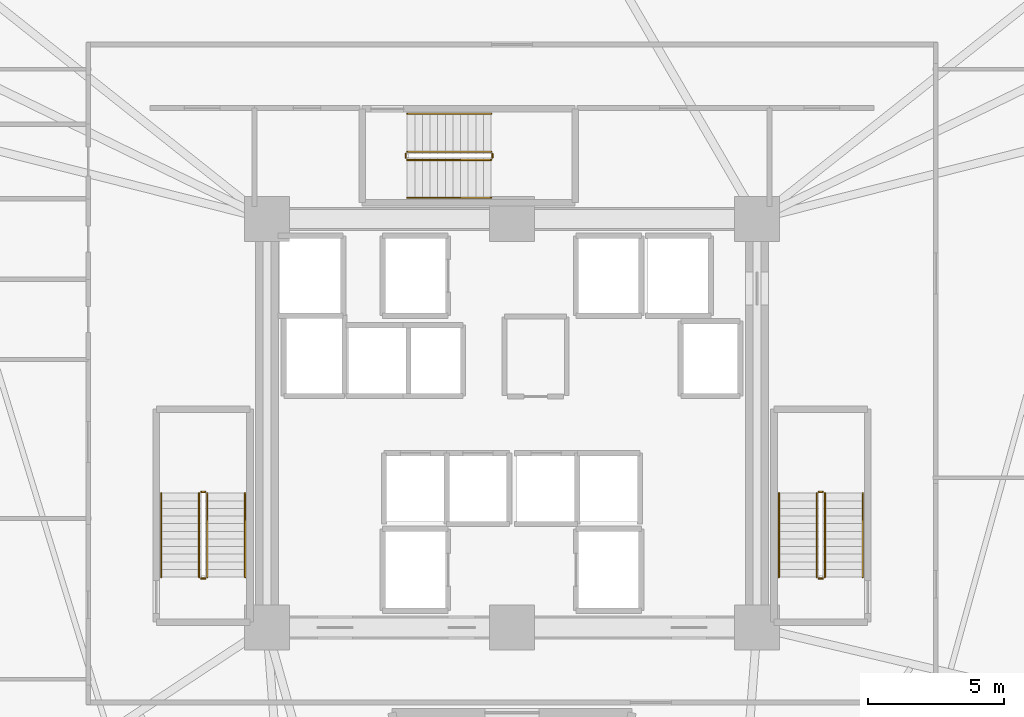
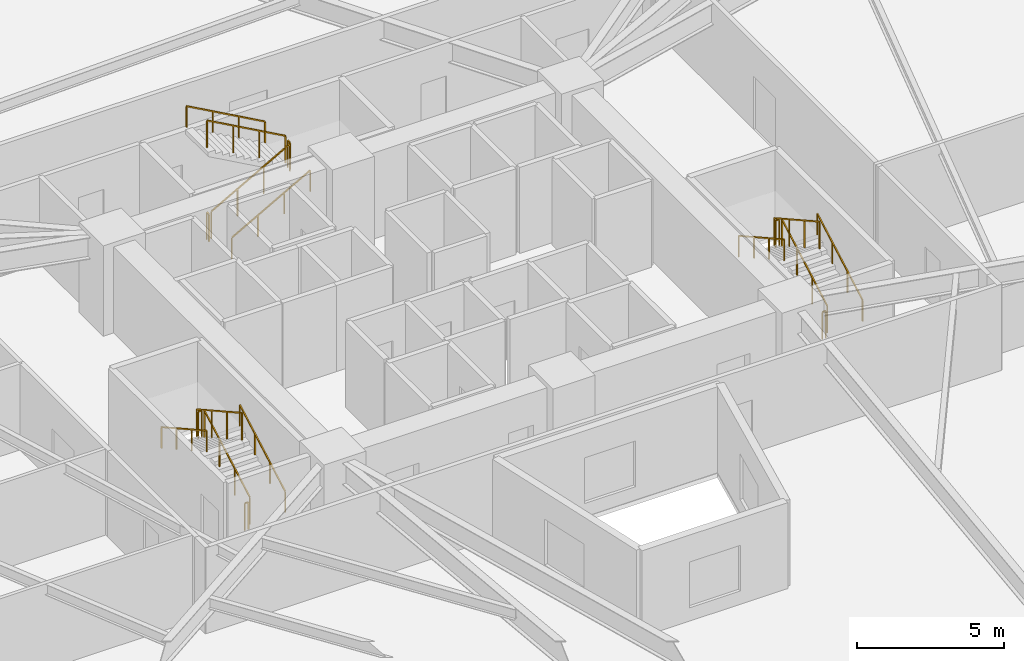
# One storey, part 8 of 8: 18 railings.
"""IFC4 building model written with IfcOpenShell, lengths in metres."""

import ifcopenshell
import ifcopenshell.guid

model = None  # the IFC model being written
_history = None  # IfcOwnerHistory: only IFC2X3 demands one
_inside = {}  # id of a spatial element -> (the spatial element, [elements in it])
_under = {}  # id of a project, library or spatial element -> (it, [spatial elements below it])
_declared = {}  # id of a project -> (the project, [libraries it declares])
_typed = {}  # id of a type object -> (the type object, [elements of that type])
_made_of = {}  # id of a material, layer set ... -> (it, [elements and type objects made of it])


def new_model(schema):
    """Start an empty IFC model of exactly this schema.

    Asked for "IFC4X3", IfcOpenShell would pick the latest addendum, in which some entities
    have other attributes; the version numbers below select the first issue.
    IFC2X3 requires an IfcOwnerHistory on every rooted entity: one is made here for all.
    """
    global model, _history
    if schema == "IFC4X3":
        model = ifcopenshell.file(schema_version=(4, 3, 0, 0))
    else:
        model = ifcopenshell.file(schema=schema)
    _inside.clear()
    _under.clear()
    _declared.clear()
    _typed.clear()
    _made_of.clear()
    _history = None
    if model.schema == "IFC2X3":
        org = make("IfcOrganization", Name="unknown")
        user = make(
            "IfcPersonAndOrganization",
            ThePerson=make("IfcPerson", FamilyName="unknown"),
            TheOrganization=org,
        )
        app = make(
            "IfcApplication",
            ApplicationDeveloper=org,
            Version="unknown",
            ApplicationFullName="unknown",
            ApplicationIdentifier="unknown",
        )
        _history = make(
            "IfcOwnerHistory",
            OwningUser=user,
            OwningApplication=app,
            ChangeAction="ADDED",
            CreationDate=0,
        )
    return model


def make(cls, **values):
    """One entity of the class cls with the attributes given. An attribute that is None is left unset."""
    return model.create_entity(
        cls, **{name: value for name, value in values.items() if value is not None}
    )


def rooted(cls, **values):
    """An entity with a GlobalId (a new one), such as an element, a storey or a relation."""
    return make(cls, GlobalId=ifcopenshell.guid.new(), OwnerHistory=_history, **values)


def si_unit(unit_type, name, prefix=None):
    """IfcSIUnit, for example si_unit("LENGTHUNIT", "METRE", prefix="MILLI")."""
    return make("IfcSIUnit", UnitType=unit_type, Prefix=prefix, Name=name)


def assignment(units):
    """IfcUnitAssignment: the units of a project."""
    return None if units is None else make("IfcUnitAssignment", Units=units)


def point(xyz):
    """IfcCartesianPoint."""
    return None if xyz is None else make("IfcCartesianPoint", Coordinates=xyz)


def direction(xyz):
    """IfcDirection."""
    return None if xyz is None else make("IfcDirection", DirectionRatios=xyz)


def frame(location, z_axis=None, x_axis=None):
    """IfcAxis2Placement3D, a coordinate frame: its origin and axes. An axis left out is left unset."""
    return make(
        "IfcAxis2Placement3D",
        Location=point(location),
        Axis=direction(z_axis),
        RefDirection=direction(x_axis),
    )


def frame_2d(location, x_axis=None):
    """IfcAxis2Placement2D, a coordinate frame in the plane: its origin and x axis."""
    return make(
        "IfcAxis2Placement2D", Location=point(location), RefDirection=direction(x_axis)
    )


def origin():
    """The frame at (0, 0, 0) with its axes left unset."""
    return frame((0.0, 0.0, 0.0))


def origin_2d():
    """The frame at (0, 0) in the plane with its x axis left unset."""
    return frame_2d((0.0, 0.0))


def place(relative_to, where):
    """IfcLocalPlacement: puts the frame where relative to a parent placement (None: the world)."""
    return make(
        "IfcLocalPlacement", PlacementRelTo=relative_to, RelativePlacement=where
    )


def context(
    kind, dimensions, precision=None, world=None, true_north=None, identifier=None
):
    """IfcGeometricRepresentationContext, for example the 3D "Model" context."""
    return make(
        "IfcGeometricRepresentationContext",
        ContextIdentifier=identifier,
        ContextType=kind,
        CoordinateSpaceDimension=dimensions,
        Precision=precision,
        WorldCoordinateSystem=world,
        TrueNorth=true_north,
    )


def subcontext(parent, identifier, kind, view, scale=None):
    """IfcGeometricRepresentationSubContext, for example "Body" below "Model"."""
    return make(
        "IfcGeometricRepresentationSubContext",
        ContextIdentifier=identifier,
        ContextType=kind,
        ParentContext=parent,
        TargetScale=scale,
        TargetView=view,
    )


def project(units=None, contexts=None):
    """IfcProject with its units and contexts."""
    return rooted(
        "IfcProject",
        Name="project",
        RepresentationContexts=contexts,
        UnitsInContext=assignment(units),
    )


def spatial(cls, under=None, at=None, **own):
    """A site, building, storey or space (cls), placed at a placement, below another one or the project."""
    s = rooted(cls, ObjectPlacement=at, **own)
    if under is not None:
        _under.setdefault(under.id(), (under, []))[1].append(s)
    return s


def profile(cls, at=None, kind="AREA", **sizes):
    """A parametric profile (cls). Its sizes go by their IFC names, for example OverallWidth=200.0."""
    return make(cls, ProfileType=kind, Position=at, **sizes)


def rectangle(**sizes):
    """IfcRectangleProfileDef."""
    return profile("IfcRectangleProfileDef", **sizes)


def extrude(swept, where, along, depth):
    """IfcExtrudedAreaSolid: the profile swept, set in the frame where, extruded along a direction by depth."""
    return make(
        "IfcExtrudedAreaSolid",
        SweptArea=swept,
        Position=where,
        ExtrudedDirection=direction(along),
        Depth=depth,
    )


def shape(context_of_items, identifier, shape_type, items):
    """IfcShapeRepresentation: the items that make up one representation, for example the "Body"."""
    return make(
        "IfcShapeRepresentation",
        ContextOfItems=context_of_items,
        RepresentationIdentifier=identifier,
        RepresentationType=shape_type,
        Items=items,
    )


def material(Name=None, Category=None):
    """IfcMaterial."""
    return make("IfcMaterial", Name=Name, Category=Category)


def made_of(thing, what):
    """Note that an element or type object is made of a material, layer set ...; save() writes the relation."""
    if what is not None:
        _made_of.setdefault(what.id(), (what, []))[1].append(thing)
    return thing


def type_object(cls, material=None, **own):
    """A type object (cls), such as IfcWallType, which elements share."""
    return made_of(rooted(cls, **own), material)


def element(
    cls,
    number,
    at=None,
    inside=None,
    cuts=None,
    type_object=None,
    material=None,
    context=None,
    identifier="Body",
    shape_type=None,
    held_by="IfcProductDefinitionShape",
    body=None,
    shapes=None,
    **own,
):
    """One element of the class cls, such as IfcWall. Its Tag is "e" and its number.

    at: its placement. inside: the storey or other place that contains it. cuts: it is an
    opening in that element (IfcRelVoidsElement). A single representation is given by context,
    identifier, shape_type and body (its items); several are given by shapes. held_by: the class
    of the entity that holds the representations. save() writes the other relations.
    """
    e = rooted(cls, Tag="e%d" % number, ObjectPlacement=at, **own)
    if body is not None:
        shapes = [shape(context, identifier, shape_type, body)]
    if shapes is not None:
        e.Representation = make(held_by, Representations=shapes)
    if inside is not None:
        _inside.setdefault(inside.id(), (inside, []))[1].append(e)
    if cuts is not None:
        rooted(
            "IfcRelVoidsElement", RelatingBuildingElement=cuts, RelatedOpeningElement=e
        )
    if type_object is not None:
        _typed.setdefault(type_object.id(), (type_object, []))[1].append(e)
    return made_of(e, material)


def aggregate(whole, parts):
    """IfcRelAggregates: a whole, such as a stair, and the parts it consists of."""
    return rooted("IfcRelAggregates", RelatingObject=whole, RelatedObjects=parts)


def save(model, path):
    """Write the relations noted so far, then the file.

    IfcRelAggregates (storeys below a building ...), IfcRelContainedInSpatialStructure (elements
    in a storey), IfcRelDefinesByType, IfcRelAssociatesMaterial and IfcRelDeclares: one each for
    every whole, place, type object, material and project.
    """
    for whole, parts in _under.values():
        aggregate(whole, parts)
    for where, things in _inside.values():
        rooted(
            "IfcRelContainedInSpatialStructure",
            RelatedElements=things,
            RelatingStructure=where,
        )
    for kind, things in _typed.values():
        rooted("IfcRelDefinesByType", RelatedObjects=things, RelatingType=kind)
    for what, things in _made_of.values():
        rooted("IfcRelAssociatesMaterial", RelatedObjects=things, RelatingMaterial=what)
    for by, libraries in _declared.values():
        rooted("IfcRelDeclares", RelatingContext=by, RelatedDefinitions=libraries)
    model.write(path)


model = new_model("IFC4")

# Units and contexts
model_context = context("Model", 3, precision=1e-05, world=origin(), true_north=direction((0.0, 1.0)))
body_context = subcontext(model_context, "Body", "Model", "MODEL_VIEW")
ifc_project = project(units=[si_unit("LENGTHUNIT", "METRE"), si_unit("AREAUNIT", "SQUARE_METRE"), si_unit("VOLUMEUNIT", "CUBIC_METRE"), si_unit("PLANEANGLEUNIT", "RADIAN"), si_unit("MASSUNIT", "GRAM", prefix="KILO")], contexts=[model_context])

# Site, building, storey
site_placement = place(None, origin())
site = spatial("IfcSite", under=ifc_project, at=site_placement, CompositionType="ELEMENT")
building_placement = place(site_placement, origin())
building = spatial("IfcBuilding", under=site, at=building_placement, Name="Liaohun Quay Tower", CompositionType="ELEMENT")
storey_placement = place(building_placement, frame((0.0, 0.0, 36.0)))
storey = spatial("IfcBuildingStorey", under=building, at=storey_placement, Name="L09", CompositionType="ELEMENT", Elevation=36.0)

# Railings
ifc_material_1 = material(Name="Painted tubular steel", Category="steel")
railing_type_1 = type_object("IfcRailingType", Name="RLG-GUARD-STR", PredefinedType="GUARDRAIL", material=ifc_material_1)
railing_1_placement = place(storey_placement, frame((48.81005859375, 48.35009765625, 0.15625)))
element("IfcRailing", 1, at=railing_1_placement, inside=storey, type_object=railing_type_1, Name="L09 ST-1 stair guard 1", PredefinedType="GUARDRAIL", context=body_context, shape_type="SweptSolid", body=[
    extrude(rectangle(XDim=0.048095703125, YDim=0.048095703125, at=origin_2d()), frame((0.0, 0.0, 1.1259765625), z_axis=(0.0, 0.873225103656, 0.487317061414), x_axis=(-1.0, 0.0, 0.0)), (0.0, 0.0, 1.0), 3.52685546875),
    extrude(rectangle(XDim=0.0419921875, YDim=0.0419921875, at=origin_2d()), origin(), (0.0, 0.0, 1.0), 1.101806640625),
    extrude(rectangle(XDim=0.0419921875, YDim=0.0419921875, at=origin_2d()), frame((0.0, 1.026611328125, 0.572998046875)), (0.0, 0.0, 1.0), 1.101806640625),
    extrude(rectangle(XDim=0.0419921875, YDim=0.0419921875, at=origin_2d()), frame((0.0, 2.05322265625, 1.145751953125)), (0.0, 0.0, 1.0), 1.101806640625),
    extrude(rectangle(XDim=0.0419921875, YDim=0.0419921875, at=origin_2d()), frame((0.0, 3.079833984375, 1.71875)), (0.0, 0.0, 1.0), 1.101806640625),
])
railing_2_placement = place(storey_placement, frame((48.72998046875, 51.47998046875, 1.875)))
element("IfcRailing", 2, at=railing_2_placement, inside=storey, type_object=railing_type_1, Name="L09 ST-1 stair guard 2", PredefinedType="GUARDRAIL", context=body_context, shape_type="SweptSolid", body=[
    extrude(rectangle(XDim=0.048095703125, YDim=0.048095703125, at=origin_2d()), frame((0.0, 0.0, 1.1259765625), z_axis=(-1.0, 0.0, 0.0), x_axis=(0.0, -1.0, 0.0)), (0.0, 0.0, 1.0), 0.139892578125),
    extrude(rectangle(XDim=0.0419921875, YDim=0.0419921875, at=origin_2d()), origin(), (0.0, 0.0, 1.0), 1.101806640625),
    extrude(rectangle(XDim=0.0419921875, YDim=0.0419921875, at=origin_2d()), frame((-0.139892578125, 0.0, 0.0)), (0.0, 0.0, 1.0), 1.101806640625),
])
railing_3_placement = place(storey_placement, frame((48.510009765625, 51.429931640625, 2.03125)))
element("IfcRailing", 3, at=railing_3_placement, inside=storey, type_object=railing_type_1, Name="L09 ST-1 stair guard 3", PredefinedType="GUARDRAIL", context=body_context, shape_type="SweptSolid", body=[
    extrude(rectangle(XDim=0.048095703125, YDim=0.048095703125, at=origin_2d()), frame((0.0, 0.0, 1.1259765625), z_axis=(0.0, -0.873225103656, 0.487317061414), x_axis=(1.0, 0.0, 0.0)), (0.0, 0.0, 1.0), 3.52685546875),
    extrude(rectangle(XDim=0.0419921875, YDim=0.0419921875, at=origin_2d()), origin(), (0.0, 0.0, 1.0), 1.101806640625),
    extrude(rectangle(XDim=0.0419921875, YDim=0.0419921875, at=origin_2d()), frame((0.0, -1.026611328125, 0.572998046875)), (0.0, 0.0, 1.0), 1.101806640625),
    extrude(rectangle(XDim=0.0419921875, YDim=0.0419921875, at=origin_2d()), frame((0.0, -2.05322265625, 1.145751953125)), (0.0, 0.0, 1.0), 1.101806640625),
    extrude(rectangle(XDim=0.0419921875, YDim=0.0419921875, at=origin_2d()), frame((0.0, -3.079833984375, 1.71875)), (0.0, 0.0, 1.0), 1.101806640625),
])
railing_4_placement = place(storey_placement, frame((48.72998046875, 48.300048828125, 0.0)))
element("IfcRailing", 4, at=railing_4_placement, inside=storey, type_object=railing_type_1, Name="L09 ST-1 stair guard 4", PredefinedType="GUARDRAIL", context=body_context, shape_type="SweptSolid", body=[
    extrude(rectangle(XDim=0.048095703125, YDim=0.048095703125, at=origin_2d()), frame((0.0, 0.0, 1.1259765625), z_axis=(-1.0, 0.0, 0.0), x_axis=(0.0, -1.0, 0.0)), (0.0, 0.0, 1.0), 0.139892578125),
    extrude(rectangle(XDim=0.0419921875, YDim=0.0419921875, at=origin_2d()), origin(), (0.0, 0.0, 1.0), 1.101806640625),
    extrude(rectangle(XDim=0.0419921875, YDim=0.0419921875, at=origin_2d()), frame((-0.139892578125, 0.0, 0.0)), (0.0, 0.0, 1.0), 1.101806640625),
])
railing_5_placement = place(storey_placement, frame((71.489990234375, 48.35009765625, 0.15625)))
element("IfcRailing", 5, at=railing_5_placement, inside=storey, type_object=railing_type_1, Name="L09 ST-2 stair guard 1", PredefinedType="GUARDRAIL", context=body_context, shape_type="SweptSolid", body=[
    extrude(rectangle(XDim=0.048095703125, YDim=0.048095703125, at=origin_2d()), frame((0.0, 0.0, 1.1259765625), z_axis=(0.0, 0.873225103656, 0.487317061414), x_axis=(-1.0, 0.0, 0.0)), (0.0, 0.0, 1.0), 3.52685546875),
    extrude(rectangle(XDim=0.0419921875, YDim=0.0419921875, at=origin_2d()), origin(), (0.0, 0.0, 1.0), 1.101806640625),
    extrude(rectangle(XDim=0.0419921875, YDim=0.0419921875, at=origin_2d()), frame((0.0, 1.026611328125, 0.572998046875)), (0.0, 0.0, 1.0), 1.101806640625),
    extrude(rectangle(XDim=0.0419921875, YDim=0.0419921875, at=origin_2d()), frame((0.0, 2.05322265625, 1.145751953125)), (0.0, 0.0, 1.0), 1.101806640625),
    extrude(rectangle(XDim=0.0419921875, YDim=0.0419921875, at=origin_2d()), frame((0.0, 3.079833984375, 1.71875)), (0.0, 0.0, 1.0), 1.101806640625),
])
railing_6_placement = place(storey_placement, frame((71.409912109375, 51.47998046875, 1.875)))
element("IfcRailing", 6, at=railing_6_placement, inside=storey, type_object=railing_type_1, Name="L09 ST-2 stair guard 2", PredefinedType="GUARDRAIL", context=body_context, shape_type="SweptSolid", body=[
    extrude(rectangle(XDim=0.048095703125, YDim=0.048095703125, at=origin_2d()), frame((0.0, 0.0, 1.1259765625), z_axis=(-1.0, 0.0, 0.0), x_axis=(0.0, -1.0, 0.0)), (0.0, 0.0, 1.0), 0.139892578125),
    extrude(rectangle(XDim=0.0419921875, YDim=0.0419921875, at=origin_2d()), origin(), (0.0, 0.0, 1.0), 1.101806640625),
    extrude(rectangle(XDim=0.0419921875, YDim=0.0419921875, at=origin_2d()), frame((-0.139892578125, 0.0, 0.0)), (0.0, 0.0, 1.0), 1.101806640625),
])
railing_7_placement = place(storey_placement, frame((71.18994140625, 51.429931640625, 2.03125)))
element("IfcRailing", 7, at=railing_7_placement, inside=storey, type_object=railing_type_1, Name="L09 ST-2 stair guard 3", PredefinedType="GUARDRAIL", context=body_context, shape_type="SweptSolid", body=[
    extrude(rectangle(XDim=0.048095703125, YDim=0.048095703125, at=origin_2d()), frame((0.0, 0.0, 1.1259765625), z_axis=(0.0, -0.873225103656, 0.487317061414), x_axis=(1.0, 0.0, 0.0)), (0.0, 0.0, 1.0), 3.52685546875),
    extrude(rectangle(XDim=0.0419921875, YDim=0.0419921875, at=origin_2d()), origin(), (0.0, 0.0, 1.0), 1.101806640625),
    extrude(rectangle(XDim=0.0419921875, YDim=0.0419921875, at=origin_2d()), frame((0.0, -1.026611328125, 0.572998046875)), (0.0, 0.0, 1.0), 1.101806640625),
    extrude(rectangle(XDim=0.0419921875, YDim=0.0419921875, at=origin_2d()), frame((0.0, -2.05322265625, 1.145751953125)), (0.0, 0.0, 1.0), 1.101806640625),
    extrude(rectangle(XDim=0.0419921875, YDim=0.0419921875, at=origin_2d()), frame((0.0, -3.079833984375, 1.71875)), (0.0, 0.0, 1.0), 1.101806640625),
])
railing_8_placement = place(storey_placement, frame((71.409912109375, 48.300048828125, 0.0)))
element("IfcRailing", 8, at=railing_8_placement, inside=storey, type_object=railing_type_1, Name="L09 ST-2 stair guard 4", PredefinedType="GUARDRAIL", context=body_context, shape_type="SweptSolid", body=[
    extrude(rectangle(XDim=0.048095703125, YDim=0.048095703125, at=origin_2d()), frame((0.0, 0.0, 1.1259765625), z_axis=(-1.0, 0.0, 0.0), x_axis=(0.0, -1.0, 0.0)), (0.0, 0.0, 1.0), 0.139892578125),
    extrude(rectangle(XDim=0.0419921875, YDim=0.0419921875, at=origin_2d()), origin(), (0.0, 0.0, 1.0), 1.101806640625),
    extrude(rectangle(XDim=0.0419921875, YDim=0.0419921875, at=origin_2d()), frame((-0.139892578125, 0.0, 0.0)), (0.0, 0.0, 1.0), 1.101806640625),
])
railing_9_placement = place(storey_placement, frame((56.14990234375, 63.669921875, 0.15625)))
element("IfcRailing", 9, at=railing_9_placement, inside=storey, type_object=railing_type_1, Name="L09 ST-3 stair guard 1", PredefinedType="GUARDRAIL", context=body_context, shape_type="SweptSolid", body=[
    extrude(rectangle(XDim=0.048095703125, YDim=0.048095703125, at=origin_2d()), frame((0.0, 0.0, 1.1259765625), z_axis=(0.873241540666, 0.0, 0.487287606713), x_axis=(0.0, 1.0, 0.0)), (0.0, 0.0, 1.0), 3.527099609375),
    extrude(rectangle(XDim=0.0419921875, YDim=0.0419921875, at=origin_2d()), origin(), (0.0, 0.0, 1.0), 1.101806640625),
    extrude(rectangle(XDim=0.0419921875, YDim=0.0419921875, at=origin_2d()), frame((1.026611328125, 0.0, 0.572998046875)), (0.0, 0.0, 1.0), 1.101806640625),
    extrude(rectangle(XDim=0.0419921875, YDim=0.0419921875, at=origin_2d()), frame((2.053466796875, 0.0, 1.145751953125)), (0.0, 0.0, 1.0), 1.101806640625),
    extrude(rectangle(XDim=0.0419921875, YDim=0.0419921875, at=origin_2d()), frame((3.080078125, 0.0, 1.71875)), (0.0, 0.0, 1.0), 1.101806640625),
])
railing_10_placement = place(storey_placement, frame((59.280029296875, 63.75, 1.875)))
element("IfcRailing", 10, at=railing_10_placement, inside=storey, type_object=railing_type_1, Name="L09 ST-3 stair guard 2", PredefinedType="GUARDRAIL", context=body_context, shape_type="SweptSolid", body=[
    extrude(rectangle(XDim=0.048095703125, YDim=0.048095703125, at=origin_2d()), frame((0.0, 0.0, 1.1259765625), z_axis=(0.0, 1.0, 0.0), x_axis=(-1.0, 0.0, 0.0)), (0.0, 0.0, 1.0), 0.139892578125),
    extrude(rectangle(XDim=0.0419921875, YDim=0.0419921875, at=origin_2d()), origin(), (0.0, 0.0, 1.0), 1.101806640625),
    extrude(rectangle(XDim=0.0419921875, YDim=0.0419921875, at=origin_2d()), frame((0.0, 0.139892578125, 0.0)), (0.0, 0.0, 1.0), 1.101806640625),
])
railing_11_placement = place(storey_placement, frame((59.22998046875, 63.969970703125, 2.03125)))
element("IfcRailing", 11, at=railing_11_placement, inside=storey, type_object=railing_type_1, Name="L09 ST-3 stair guard 3", PredefinedType="GUARDRAIL", context=body_context, shape_type="SweptSolid", body=[
    extrude(rectangle(XDim=0.048095703125, YDim=0.048095703125, at=origin_2d()), frame((0.0, 0.0, 1.1259765625), z_axis=(-0.873241540666, 0.0, 0.487287606713), x_axis=(0.0, -1.0, 0.0)), (0.0, 0.0, 1.0), 3.527099609375),
    extrude(rectangle(XDim=0.0419921875, YDim=0.0419921875, at=origin_2d()), origin(), (0.0, 0.0, 1.0), 1.101806640625),
    extrude(rectangle(XDim=0.0419921875, YDim=0.0419921875, at=origin_2d()), frame((-1.026611328125, 0.0, 0.572998046875)), (0.0, 0.0, 1.0), 1.101806640625),
    extrude(rectangle(XDim=0.0419921875, YDim=0.0419921875, at=origin_2d()), frame((-2.053466796875, 0.0, 1.145751953125)), (0.0, 0.0, 1.0), 1.101806640625),
    extrude(rectangle(XDim=0.0419921875, YDim=0.0419921875, at=origin_2d()), frame((-3.080078125, 0.0, 1.71875)), (0.0, 0.0, 1.0), 1.101806640625),
])
railing_12_placement = place(storey_placement, frame((56.10009765625, 63.75, 0.0)))
element("IfcRailing", 12, at=railing_12_placement, inside=storey, type_object=railing_type_1, Name="L09 ST-3 stair guard 4", PredefinedType="GUARDRAIL", context=body_context, shape_type="SweptSolid", body=[
    extrude(rectangle(XDim=0.048095703125, YDim=0.048095703125, at=origin_2d()), frame((0.0, 0.0, 1.1259765625), z_axis=(0.0, 1.0, 0.0), x_axis=(-1.0, 0.0, 0.0)), (0.0, 0.0, 1.0), 0.139892578125),
    extrude(rectangle(XDim=0.0419921875, YDim=0.0419921875, at=origin_2d()), origin(), (0.0, 0.0, 1.0), 1.101806640625),
    extrude(rectangle(XDim=0.0419921875, YDim=0.0419921875, at=origin_2d()), frame((0.0, 0.139892578125, 0.0)), (0.0, 0.0, 1.0), 1.101806640625),
])
ifc_material_2 = material(Name="Brushed stainless steel", Category="steel")
railing_type_2 = type_object("IfcRailingType", Name="RLG-HND-STR", PredefinedType="HANDRAIL", material=ifc_material_2)
railing_13_placement = place(storey_placement, frame((50.199951171875, 48.35009765625, 0.15625)))
element("IfcRailing", 13, at=railing_13_placement, inside=storey, type_object=railing_type_2, Name="L09 ST-1 stair handrail 1", PredefinedType="HANDRAIL", context=body_context, shape_type="SweptSolid", body=[
    extrude(rectangle(XDim=0.048095703125, YDim=0.048095703125, at=origin_2d()), frame((0.0, 0.0, 0.8759765625), z_axis=(0.0, 0.873225103656, 0.487317061414), x_axis=(-1.0, 0.0, 0.0)), (0.0, 0.0, 1.0), 3.52685546875),
    extrude(rectangle(XDim=0.0419921875, YDim=0.0419921875, at=origin_2d()), origin(), (0.0, 0.0, 1.0), 0.851806640625),
    extrude(rectangle(XDim=0.0419921875, YDim=0.0419921875, at=origin_2d()), frame((0.0, 1.026611328125, 0.572998046875)), (0.0, 0.0, 1.0), 0.851806640625),
    extrude(rectangle(XDim=0.0419921875, YDim=0.0419921875, at=origin_2d()), frame((0.0, 2.05322265625, 1.145751953125)), (0.0, 0.0, 1.0), 0.851806640625),
    extrude(rectangle(XDim=0.0419921875, YDim=0.0419921875, at=origin_2d()), frame((0.0, 3.079833984375, 1.71875)), (0.0, 0.0, 1.0), 0.851806640625),
])
railing_14_placement = place(storey_placement, frame((47.1201171875, 51.429931640625, 2.03125)))
element("IfcRailing", 14, at=railing_14_placement, inside=storey, type_object=railing_type_2, Name="L09 ST-1 stair handrail 2", PredefinedType="HANDRAIL", context=body_context, shape_type="SweptSolid", body=[
    extrude(rectangle(XDim=0.048095703125, YDim=0.048095703125, at=origin_2d()), frame((0.0, 0.0, 0.8759765625), z_axis=(0.0, -0.873225103656, 0.487317061414), x_axis=(1.0, 0.0, 0.0)), (0.0, 0.0, 1.0), 3.52685546875),
    extrude(rectangle(XDim=0.0419921875, YDim=0.0419921875, at=origin_2d()), origin(), (0.0, 0.0, 1.0), 0.851806640625),
    extrude(rectangle(XDim=0.0419921875, YDim=0.0419921875, at=origin_2d()), frame((0.0, -1.026611328125, 0.572998046875)), (0.0, 0.0, 1.0), 0.851806640625),
    extrude(rectangle(XDim=0.0419921875, YDim=0.0419921875, at=origin_2d()), frame((0.0, -2.05322265625, 1.145751953125)), (0.0, 0.0, 1.0), 0.851806640625),
    extrude(rectangle(XDim=0.0419921875, YDim=0.0419921875, at=origin_2d()), frame((0.0, -3.079833984375, 1.71875)), (0.0, 0.0, 1.0), 0.851806640625),
])
railing_15_placement = place(storey_placement, frame((72.8798828125, 48.35009765625, 0.15625)))
element("IfcRailing", 15, at=railing_15_placement, inside=storey, type_object=railing_type_2, Name="L09 ST-2 stair handrail 1", PredefinedType="HANDRAIL", context=body_context, shape_type="SweptSolid", body=[
    extrude(rectangle(XDim=0.048095703125, YDim=0.048095703125, at=origin_2d()), frame((0.0, 0.0, 0.8759765625), z_axis=(0.0, 0.873225103656, 0.487317061414), x_axis=(-1.0, 0.0, 0.0)), (0.0, 0.0, 1.0), 3.52685546875),
    extrude(rectangle(XDim=0.0419921875, YDim=0.0419921875, at=origin_2d()), origin(), (0.0, 0.0, 1.0), 0.851806640625),
    extrude(rectangle(XDim=0.0419921875, YDim=0.0419921875, at=origin_2d()), frame((0.0, 1.026611328125, 0.572998046875)), (0.0, 0.0, 1.0), 0.851806640625),
    extrude(rectangle(XDim=0.0419921875, YDim=0.0419921875, at=origin_2d()), frame((0.0, 2.05322265625, 1.145751953125)), (0.0, 0.0, 1.0), 0.851806640625),
    extrude(rectangle(XDim=0.0419921875, YDim=0.0419921875, at=origin_2d()), frame((0.0, 3.079833984375, 1.71875)), (0.0, 0.0, 1.0), 0.851806640625),
])
railing_16_placement = place(storey_placement, frame((69.800048828125, 51.429931640625, 2.03125)))
element("IfcRailing", 16, at=railing_16_placement, inside=storey, type_object=railing_type_2, Name="L09 ST-2 stair handrail 2", PredefinedType="HANDRAIL", context=body_context, shape_type="SweptSolid", body=[
    extrude(rectangle(XDim=0.048095703125, YDim=0.048095703125, at=origin_2d()), frame((0.0, 0.0, 0.8759765625), z_axis=(0.0, -0.873225103656, 0.487317061414), x_axis=(1.0, 0.0, 0.0)), (0.0, 0.0, 1.0), 3.52685546875),
    extrude(rectangle(XDim=0.0419921875, YDim=0.0419921875, at=origin_2d()), origin(), (0.0, 0.0, 1.0), 0.851806640625),
    extrude(rectangle(XDim=0.0419921875, YDim=0.0419921875, at=origin_2d()), frame((0.0, -1.026611328125, 0.572998046875)), (0.0, 0.0, 1.0), 0.851806640625),
    extrude(rectangle(XDim=0.0419921875, YDim=0.0419921875, at=origin_2d()), frame((0.0, -2.05322265625, 1.145751953125)), (0.0, 0.0, 1.0), 0.851806640625),
    extrude(rectangle(XDim=0.0419921875, YDim=0.0419921875, at=origin_2d()), frame((0.0, -3.079833984375, 1.71875)), (0.0, 0.0, 1.0), 0.851806640625),
])
railing_17_placement = place(storey_placement, frame((56.14990234375, 62.280029296875, 0.15625)))
element("IfcRailing", 17, at=railing_17_placement, inside=storey, type_object=railing_type_2, Name="L09 ST-3 stair handrail 1", PredefinedType="HANDRAIL", context=body_context, shape_type="SweptSolid", body=[
    extrude(rectangle(XDim=0.048095703125, YDim=0.048095703125, at=origin_2d()), frame((0.0, 0.0, 0.8759765625), z_axis=(0.873241540666, 0.0, 0.487287606713), x_axis=(0.0, 1.0, 0.0)), (0.0, 0.0, 1.0), 3.527099609375),
    extrude(rectangle(XDim=0.0419921875, YDim=0.0419921875, at=origin_2d()), origin(), (0.0, 0.0, 1.0), 0.851806640625),
    extrude(rectangle(XDim=0.0419921875, YDim=0.0419921875, at=origin_2d()), frame((1.026611328125, 0.0, 0.572998046875)), (0.0, 0.0, 1.0), 0.851806640625),
    extrude(rectangle(XDim=0.0419921875, YDim=0.0419921875, at=origin_2d()), frame((2.053466796875, 0.0, 1.145751953125)), (0.0, 0.0, 1.0), 0.851806640625),
    extrude(rectangle(XDim=0.0419921875, YDim=0.0419921875, at=origin_2d()), frame((3.080078125, 0.0, 1.71875)), (0.0, 0.0, 1.0), 0.851806640625),
])
railing_18_placement = place(storey_placement, frame((59.22998046875, 65.360107421875, 2.03125)))
element("IfcRailing", 18, at=railing_18_placement, inside=storey, type_object=railing_type_2, Name="L09 ST-3 stair handrail 2", PredefinedType="HANDRAIL", context=body_context, shape_type="SweptSolid", body=[
    extrude(rectangle(XDim=0.048095703125, YDim=0.048095703125, at=origin_2d()), frame((0.0, 0.0, 0.8759765625), z_axis=(-0.873241540666, 0.0, 0.487287606713), x_axis=(0.0, -1.0, 0.0)), (0.0, 0.0, 1.0), 3.527099609375),
    extrude(rectangle(XDim=0.0419921875, YDim=0.0419921875, at=origin_2d()), origin(), (0.0, 0.0, 1.0), 0.851806640625),
    extrude(rectangle(XDim=0.0419921875, YDim=0.0419921875, at=origin_2d()), frame((-1.026611328125, 0.0, 0.572998046875)), (0.0, 0.0, 1.0), 0.851806640625),
    extrude(rectangle(XDim=0.0419921875, YDim=0.0419921875, at=origin_2d()), frame((-2.053466796875, 0.0, 1.145751953125)), (0.0, 0.0, 1.0), 0.851806640625),
    extrude(rectangle(XDim=0.0419921875, YDim=0.0419921875, at=origin_2d()), frame((-3.080078125, 0.0, 1.71875)), (0.0, 0.0, 1.0), 0.851806640625),
])

save(model, "model.ifc")
